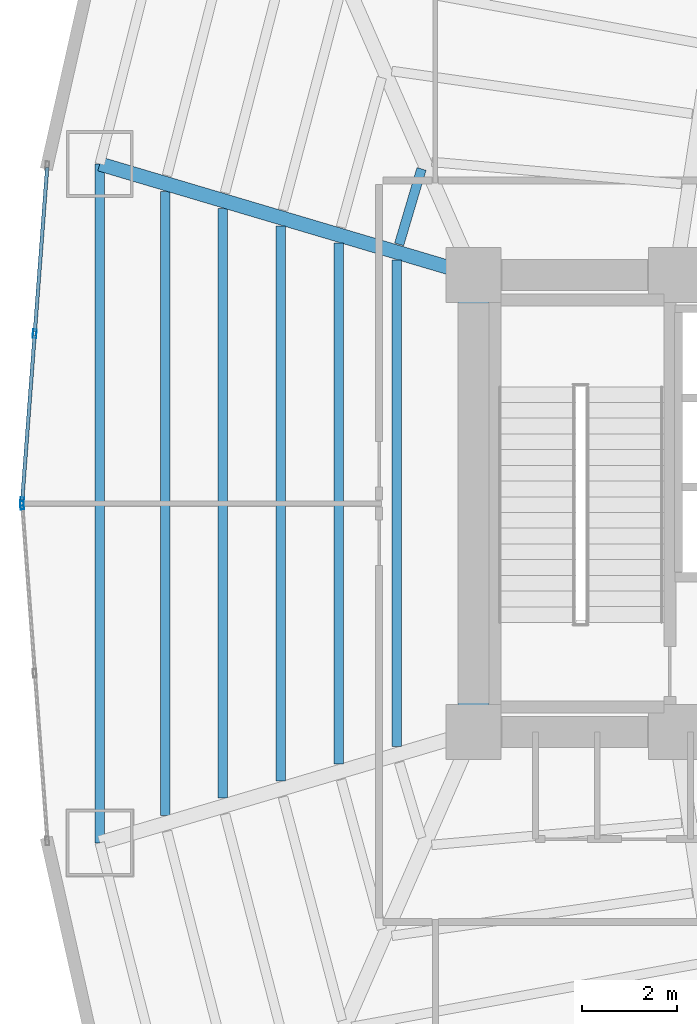
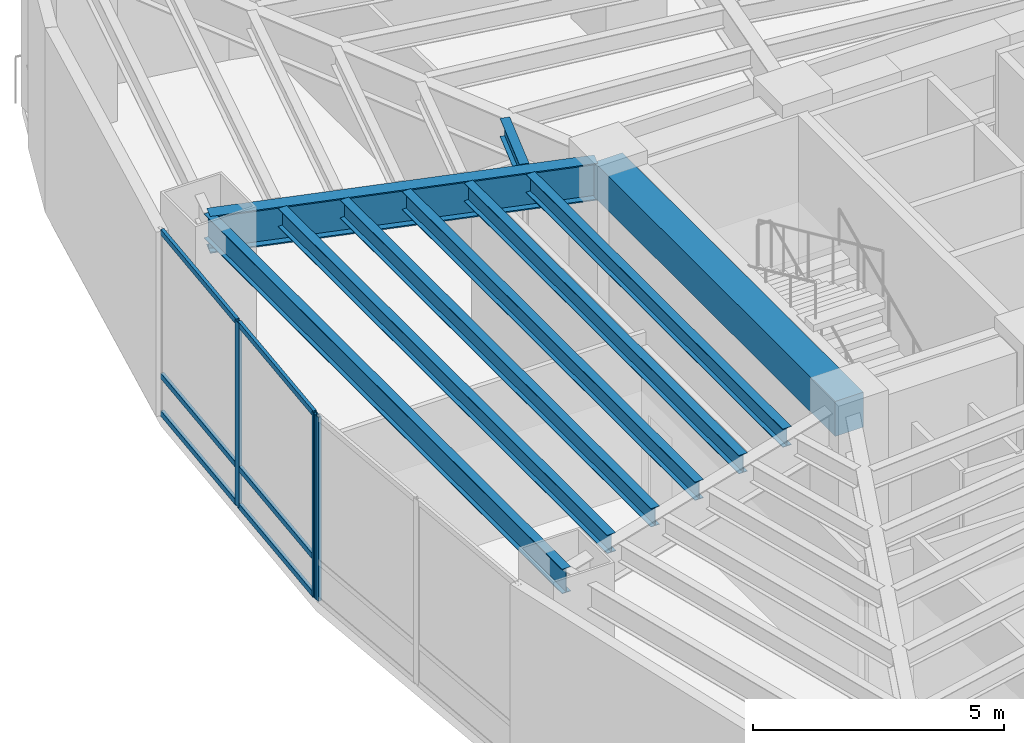
# One storey, part 7 of 18: 9 beams, 9 members, 2 elements without a shape of their own.
"""IFC4 building model written with IfcOpenShell, lengths in metres."""

from ifc_helpers import new_model, si_unit, direction, frame, origin, origin_2d, place, context, subcontext, project, spatial, rectangle, hollow_rectangle, i_section, extrude, material, layer, layer_set, material_profile, profile_set, type_object, element, aggregate, save


model = new_model("IFC4")

# Units and contexts
model_context = context("Model", 3, precision=1e-05, world=origin(), true_north=direction((0.0, 1.0)))
body_context = subcontext(model_context, "Body", "Model", "MODEL_VIEW")
ifc_project = project(units=[si_unit("LENGTHUNIT", "METRE"), si_unit("AREAUNIT", "SQUARE_METRE"), si_unit("VOLUMEUNIT", "CUBIC_METRE"), si_unit("PLANEANGLEUNIT", "RADIAN"), si_unit("MASSUNIT", "GRAM", prefix="KILO")], contexts=[model_context])

# Site, building, storey
site_placement = place(None, origin())
site = spatial("IfcSite", under=ifc_project, at=site_placement, CompositionType="ELEMENT")
building_placement = place(site_placement, origin())
building = spatial("IfcBuilding", under=site, at=building_placement, Name="Menara Vayukalpa", CompositionType="ELEMENT")
storey_placement = place(building_placement, frame((0.0, 0.0, 7.199951171875)))
storey = spatial("IfcBuildingStorey", under=building, at=storey_placement, Name="L01", CompositionType="ELEMENT", Elevation=7.199951171875)

# Beams
ifc_material_1 = material(Name="Concrete C60/75", Category="concrete")
ifc_material_profile_1 = material_profile(ifc_material_1, rectangle(XDim=0.64990234375, YDim=0.85009765625, at=origin_2d()), Name="RC 650x850")
ifc_profile_set_1 = profile_set([ifc_material_profile_1], Name="Concrete C60/75")
beam_type_1 = type_object("IfcBeamType", Name="BM-CB1", PredefinedType="BEAM", material=ifc_profile_set_1)
beam_1_placement = place(storey_placement, frame((17.800048828125, 17.199951171875, 4.054931640625), z_axis=(0.0, 1.0, 0.0), x_axis=(-1.0, 0.0, 0.0)))
element("IfcBeam", 1, at=beam_1_placement, inside=storey, type_object=beam_type_1, Name="L01 Core Tie Beam CBR7", PredefinedType="BEAM", context=body_context, shape_type="SweptSolid", body=[
    extrude(rectangle(XDim=0.64990234375, YDim=0.85009765625, at=origin_2d()), origin(), (0.0, 0.0, 1.0), 9.60009765625),
])
ifc_material_2 = material(Name="Steel S355", Category="steel")
ifc_material_profile_2 = material_profile(ifc_material_2, i_section(OverallWidth=0.300048828125, OverallDepth=0.89990234375, WebThickness=0.01611328125, FlangeThickness=0.028076171875, at=origin_2d()), Name="WF 900x300x16x28")
ifc_profile_set_2 = profile_set([ifc_material_profile_2], Name="Steel S355")
beam_type_2 = type_object("IfcBeamType", Name="BM-PG1", PredefinedType="BEAM", material=ifc_profile_set_2)
beam_2_placement = place(storey_placement, frame((17.560302734375, 26.87109375, 4.030029296875), z_axis=(-0.958678858065, 0.284490504409, 0.0), x_axis=(-0.284490504409, -0.958678858065, 0.0)))
element("IfcBeam", 2, at=beam_2_placement, inside=storey, type_object=beam_type_2, Name="L01 Primary Radial Girder RG05", PredefinedType="BEAM", context=body_context, shape_type="SweptSolid", body=[
    extrude(i_section(OverallWidth=0.300048828125, OverallDepth=0.89990234375, WebThickness=0.01611328125, FlangeThickness=0.028076171875, at=origin_2d()), origin(), (0.0, 0.0, 1.0), 7.936279296875),
])
ifc_material_3 = material(Name="Steel S355", Category="steel")
ifc_material_profile_3 = material_profile(ifc_material_3, i_section(OverallWidth=0.199951171875, OverallDepth=0.449951171875, WebThickness=0.009033203125, FlangeThickness=0.013916015625, at=origin_2d()), Name="WF 450x200x9x14")
ifc_profile_set_3 = profile_set([ifc_material_profile_3], Name="Steel S355")
beam_type_3 = type_object("IfcBeamType", Name="BM-SJ1", PredefinedType="JOIST", material=ifc_profile_set_3)
beam_3_placement = place(storey_placement, frame((16.70849609375, 29.0244140625, 4.255126953125), z_axis=(-0.284173863657, -0.958772765161, 0.0), x_axis=(0.958772765161, -0.284173863657, 0.0)))
element("IfcBeam", 3, at=beam_3_placement, inside=storey, type_object=beam_type_3, Name="L01 Secondary Floor Joist SJ04-1", PredefinedType="JOIST", context=body_context, shape_type="SweptSolid", body=[
    extrude(i_section(OverallWidth=0.199951171875, OverallDepth=0.449951171875, WebThickness=0.009033203125, FlangeThickness=0.013916015625, at=origin_2d()), origin(), (0.0, 0.0, 1.0), 1.652099609375),
])
beam_4_placement = place(storey_placement, frame((16.19091796875, 27.107421875, 4.255126953125), z_axis=(0.0, -1.0, 0.0), x_axis=(1.0, 0.0, 0.0)))
element("IfcBeam", 4, at=beam_4_placement, inside=storey, type_object=beam_type_3, Name="L01 Secondary Floor Joist SJ05-1", PredefinedType="JOIST", context=body_context, shape_type="SweptSolid", body=[
    extrude(i_section(OverallWidth=0.199951171875, OverallDepth=0.449951171875, WebThickness=0.009033203125, FlangeThickness=0.013916015625, at=origin_2d()), origin(), (0.0, 0.0, 1.0), 10.21484375),
])
beam_5_placement = place(storey_placement, frame((14.973388671875, 27.46875, 4.255126953125), z_axis=(0.0, -1.0, 0.0), x_axis=(1.0, 0.0, 0.0)))
element("IfcBeam", 5, at=beam_5_placement, inside=storey, type_object=beam_type_3, Name="L01 Secondary Floor Joist SJ05-2", PredefinedType="JOIST", context=body_context, shape_type="SweptSolid", body=[
    extrude(i_section(OverallWidth=0.199951171875, OverallDepth=0.449951171875, WebThickness=0.009033203125, FlangeThickness=0.013916015625, at=origin_2d()), origin(), (0.0, 0.0, 1.0), 10.9375),
])
beam_6_placement = place(storey_placement, frame((13.756103515625, 27.830078125, 4.255126953125), z_axis=(0.0, -1.0, 0.0), x_axis=(1.0, 0.0, 0.0)))
element("IfcBeam", 6, at=beam_6_placement, inside=storey, type_object=beam_type_3, Name="L01 Secondary Floor Joist SJ05-3", PredefinedType="JOIST", context=body_context, shape_type="SweptSolid", body=[
    extrude(i_section(OverallWidth=0.199951171875, OverallDepth=0.449951171875, WebThickness=0.009033203125, FlangeThickness=0.013916015625, at=origin_2d()), origin(), (0.0, 0.0, 1.0), 11.66015625),
])
beam_7_placement = place(storey_placement, frame((12.538818359375, 28.191162109375, 4.255126953125), z_axis=(0.0, -1.0, 0.0), x_axis=(1.0, 0.0, 0.0)))
element("IfcBeam", 7, at=beam_7_placement, inside=storey, type_object=beam_type_3, Name="L01 Secondary Floor Joist SJ05-4", PredefinedType="JOIST", context=body_context, shape_type="SweptSolid", body=[
    extrude(i_section(OverallWidth=0.199951171875, OverallDepth=0.449951171875, WebThickness=0.009033203125, FlangeThickness=0.013916015625, at=origin_2d()), origin(), (0.0, 0.0, 1.0), 12.38232421875),
])
beam_8_placement = place(storey_placement, frame((11.321533203125, 28.552490234375, 4.255126953125), z_axis=(0.0, -1.0, 0.0), x_axis=(1.0, 0.0, 0.0)))
element("IfcBeam", 8, at=beam_8_placement, inside=storey, type_object=beam_type_3, Name="L01 Secondary Floor Joist SJ05-5", PredefinedType="JOIST", context=body_context, shape_type="SweptSolid", body=[
    extrude(i_section(OverallWidth=0.199951171875, OverallDepth=0.449951171875, WebThickness=0.009033203125, FlangeThickness=0.013916015625, at=origin_2d()), origin(), (0.0, 0.0, 1.0), 13.10498046875),
])
ifc_material_4 = material(Name="Steel S355", Category="steel")
ifc_material_profile_4 = material_profile(ifc_material_4, i_section(OverallWidth=0.199951171875, OverallDepth=0.60009765625, WebThickness=0.010986328125, FlangeThickness=0.01708984375, at=origin_2d()), Name="WF 600x200x11x17")
ifc_profile_set_4 = profile_set([ifc_material_profile_4], Name="Steel S355")
beam_type_4 = type_object("IfcBeamType", Name="BM-SP1", PredefinedType="SPANDREL", material=ifc_profile_set_4)
beam_9_placement = place(storey_placement, frame((9.951904296875, 29.12890625, 4.179931640625), z_axis=(0.0, -1.0, 0.0), x_axis=(1.0, 0.0, 0.0)))
element("IfcBeam", 9, at=beam_9_placement, inside=storey, type_object=beam_type_4, Name="L01 Perimeter Spandrel Beam SP05", PredefinedType="SPANDREL", context=body_context, shape_type="SweptSolid", body=[
    extrude(i_section(OverallWidth=0.199951171875, OverallDepth=0.60009765625, WebThickness=0.010986328125, FlangeThickness=0.01708984375, at=origin_2d()), origin(), (0.0, 0.0, 1.0), 14.2578125),
])

# Curtain wall, members
ifc_material_5 = material(Name="Anodised Terracotta Aluminium Alloy 6063-T6", Category="masonry")
ifc_layer = layer(ifc_material_5, 0.179931640625)
ifc_layer_set = layer_set([ifc_layer], Name="Anodised Terracotta Aluminium Alloy 6063-T6")
curtain_wall_type = type_object("IfcCurtainWallType", Name="CW-CW1", PredefinedType="USERDEFINED", material=ifc_layer_set)
curtain_wall_1_placement = place(storey_placement, origin())
curtain_wall_1 = element("IfcCurtainWall", 10, at=curtain_wall_1_placement, inside=storey, type_object=curtain_wall_type, Name="L01 Podium Unitised Ribbon Curtain Wall CW1 10", ObjectType="UNITISED", PredefinedType="USERDEFINED")
ifc_material_6 = material(Name="Anodised Terracotta Aluminium Alloy 6063-T6", Category="masonry")
ifc_material_profile_5 = material_profile(ifc_material_6, hollow_rectangle(XDim=0.074951171875, YDim=0.179931640625, WallThickness=0.00390625, at=origin_2d()), Name="ALU 75x180x4")
ifc_profile_set_5 = profile_set([ifc_material_profile_5], Name="Anodised Terracotta Aluminium Alloy 6063-T6")
member_type_1 = type_object("IfcMemberType", Name="CWM-CW1", PredefinedType="MULLION", material=ifc_profile_set_5)
member_1_placement = place(storey_placement, frame((8.584716796875, 25.564453125, 0.0), z_axis=(0.0, 0.0, 1.0), x_axis=(0.997198970825, -0.074794468953, 0.0)))
member_1 = element("IfcMember", 11, at=member_1_placement, type_object=member_type_1, Name="CW1 mullion 2", PredefinedType="MULLION", context=body_context, shape_type="SweptSolid", body=[
    extrude(hollow_rectangle(XDim=0.074951171875, YDim=0.179931640625, WallThickness=0.00390625, at=origin_2d()), origin(), (0.0, 0.0, 1.0), 4.47998046875),
])
member_2_placement = place(storey_placement, frame((8.320068359375, 22.037353515625, 0.0), z_axis=(0.0, 0.0, 1.0), x_axis=(0.997198970825, -0.074794468953, 0.0)))
member_2 = element("IfcMember", 12, at=member_2_placement, type_object=member_type_1, Name="CW1 mullion 3", PredefinedType="MULLION", context=body_context, shape_type="SweptSolid", body=[
    extrude(hollow_rectangle(XDim=0.074951171875, YDim=0.179931640625, WallThickness=0.00390625, at=origin_2d()), origin(), (0.0, 0.0, 1.0), 4.47998046875),
])

# Curtain wall, member
curtain_wall_2_placement = place(storey_placement, origin())
curtain_wall_2 = element("IfcCurtainWall", 13, at=curtain_wall_2_placement, inside=storey, type_object=curtain_wall_type, Name="L01 Podium Unitised Ribbon Curtain Wall CW1 11", ObjectType="UNITISED", PredefinedType="USERDEFINED")
member_3_placement = place(storey_placement, frame((8.320068359375, 21.962646484375, 0.0), z_axis=(0.0, 0.0, 1.0), x_axis=(0.997198970825, 0.074794468953, 0.0)))
member_3 = element("IfcMember", 14, at=member_3_placement, type_object=member_type_1, Name="CW1 mullion 1", PredefinedType="MULLION", context=body_context, shape_type="SweptSolid", body=[
    extrude(hollow_rectangle(XDim=0.074951171875, YDim=0.179931640625, WallThickness=0.00390625, at=origin_2d()), origin(), (0.0, 0.0, 1.0), 4.47998046875),
])
aggregate(curtain_wall_2, [member_3])

# Member
ifc_material_7 = material(Name="Anodised Terracotta Aluminium Alloy 6063-T6", Category="masonry")
ifc_material_profile_6 = material_profile(ifc_material_7, hollow_rectangle(XDim=0.074951171875, YDim=0.135009765625, WallThickness=0.00390625, at=origin_2d()), Name="ALU 75x135x4")
ifc_profile_set_6 = profile_set([ifc_material_profile_6], Name="Anodised Terracotta Aluminium Alloy 6063-T6")
member_type_2 = type_object("IfcMemberType", Name="CWT-CW1", PredefinedType="USERDEFINED", material=ifc_profile_set_6)
member_4_placement = place(storey_placement, frame((8.846435546875, 29.05419921875, 0.03759765625), z_axis=(-0.07481975078, -0.99719707425, 0.0), x_axis=(0.99719707425, -0.07481975078, 0.0)))
member_4 = element("IfcMember", 15, at=member_4_placement, type_object=member_type_2, Name="CW1 transom 1.1", ObjectType="TRANSOM", PredefinedType="USERDEFINED", context=body_context, shape_type="SweptSolid", body=[
    extrude(hollow_rectangle(XDim=0.074951171875, YDim=0.135009765625, WallThickness=0.00390625, at=origin_2d()), origin(), (0.0, 0.0, 1.0), 3.462158203125),
])

member_5_placement = place(storey_placement, frame((8.846435546875, 29.05419921875, 0.949951171875), z_axis=(-0.07481975078, -0.99719707425, 0.0), x_axis=(0.99719707425, -0.07481975078, 0.0)))
member_5 = element("IfcMember", 16, at=member_5_placement, type_object=member_type_2, Name="CW1 transom 1.2", ObjectType="TRANSOM", PredefinedType="USERDEFINED", context=body_context, shape_type="SweptSolid", body=[
    extrude(hollow_rectangle(XDim=0.074951171875, YDim=0.135009765625, WallThickness=0.00390625, at=origin_2d()), origin(), (0.0, 0.0, 1.0), 3.462158203125),
])

member_6_placement = place(storey_placement, frame((8.846435546875, 29.05419921875, 4.442626953125), z_axis=(-0.07481975078, -0.99719707425, 0.0), x_axis=(0.99719707425, -0.07481975078, 0.0)))
member_6 = element("IfcMember", 17, at=member_6_placement, type_object=member_type_2, Name="CW1 transom 1.3", ObjectType="TRANSOM", PredefinedType="USERDEFINED", context=body_context, shape_type="SweptSolid", body=[
    extrude(hollow_rectangle(XDim=0.074951171875, YDim=0.135009765625, WallThickness=0.00390625, at=origin_2d()), origin(), (0.0, 0.0, 1.0), 3.462158203125),
])

member_7_placement = place(storey_placement, frame((8.581787109375, 25.527099609375, 0.03759765625), z_axis=(-0.074749626841, -0.997202333174, 0.0), x_axis=(0.997202333174, -0.074749626841, 0.0)))
member_7 = element("IfcMember", 18, at=member_7_placement, type_object=member_type_2, Name="CW1 transom 2.1", ObjectType="TRANSOM", PredefinedType="USERDEFINED", context=body_context, shape_type="SweptSolid", body=[
    extrude(hollow_rectangle(XDim=0.074951171875, YDim=0.135009765625, WallThickness=0.00390625, at=origin_2d()), origin(), (0.0, 0.0, 1.0), 3.462158203125),
])

member_8_placement = place(storey_placement, frame((8.581787109375, 25.527099609375, 0.949951171875), z_axis=(-0.074749626841, -0.997202333174, 0.0), x_axis=(0.997202333174, -0.074749626841, 0.0)))
member_8 = element("IfcMember", 19, at=member_8_placement, type_object=member_type_2, Name="CW1 transom 2.2", ObjectType="TRANSOM", PredefinedType="USERDEFINED", context=body_context, shape_type="SweptSolid", body=[
    extrude(hollow_rectangle(XDim=0.074951171875, YDim=0.135009765625, WallThickness=0.00390625, at=origin_2d()), origin(), (0.0, 0.0, 1.0), 3.462158203125),
])

member_9_placement = place(storey_placement, frame((8.581787109375, 25.527099609375, 4.442626953125), z_axis=(-0.074749626841, -0.997202333174, 0.0), x_axis=(0.997202333174, -0.074749626841, 0.0)))
member_9 = element("IfcMember", 20, at=member_9_placement, type_object=member_type_2, Name="CW1 transom 2.3", ObjectType="TRANSOM", PredefinedType="USERDEFINED", context=body_context, shape_type="SweptSolid", body=[
    extrude(hollow_rectangle(XDim=0.074951171875, YDim=0.135009765625, WallThickness=0.00390625, at=origin_2d()), origin(), (0.0, 0.0, 1.0), 3.462158203125),
])

aggregate(curtain_wall_1, [member_1, member_2, member_4, member_5, member_6, member_7, member_8, member_9])

save(model, "model.ifc")
